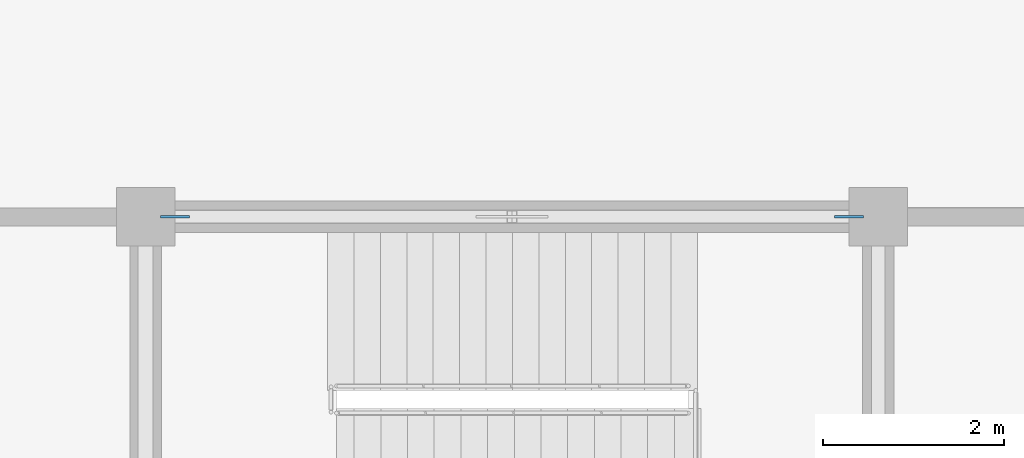
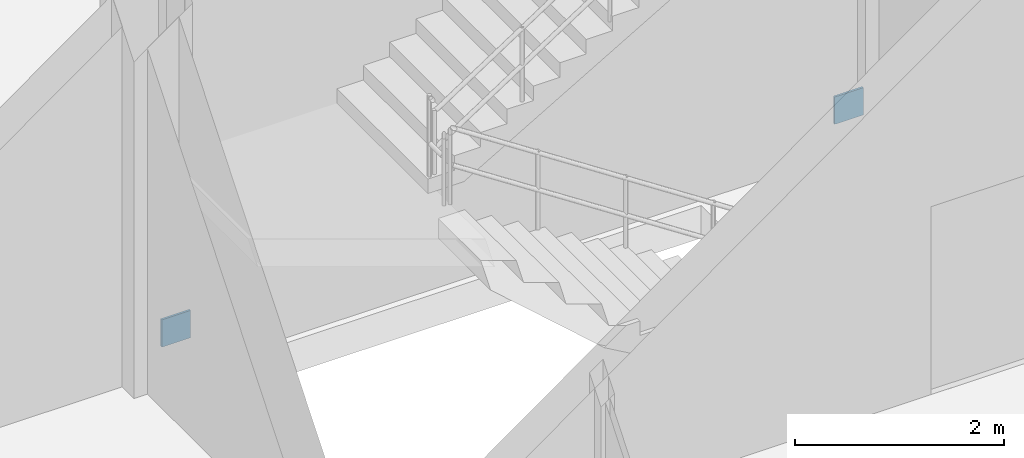
# One storey, part 76 of 99: 2 discrete accessories.
"""IFC4 building model written with IfcOpenShell, lengths in metres."""

from ifc_helpers import new_model, si_unit, direction, frame, origin, origin_2d, place, context, subcontext, project, spatial, rectangle, extrude, material, type_object, element, save


model = new_model("IFC4")

# Units and contexts
model_context = context("Model", 3, precision=1e-05, world=origin(), true_north=direction((0.0, 1.0)))
body_context = subcontext(model_context, "Body", "Model", "MODEL_VIEW")
ifc_project = project(units=[si_unit("LENGTHUNIT", "METRE"), si_unit("AREAUNIT", "SQUARE_METRE"), si_unit("VOLUMEUNIT", "CUBIC_METRE"), si_unit("PLANEANGLEUNIT", "RADIAN"), si_unit("MASSUNIT", "GRAM", prefix="KILO")], contexts=[model_context])

# Site, building, storey
site_placement = place(None, origin())
site = spatial("IfcSite", under=ifc_project, at=site_placement, CompositionType="ELEMENT")
building_placement = place(site_placement, origin())
building = spatial("IfcBuilding", under=site, at=building_placement, Name="Vaudrelin Polytechnic", CompositionType="ELEMENT")
storey_placement = place(building_placement, origin())
storey = spatial("IfcBuildingStorey", under=building, at=storey_placement, Name="L00", CompositionType="ELEMENT", Elevation=0.0)

# Discrete accessories
ifc_material = material(Name="Steel CSA G40.21 350WT", Category="steel")
discrete_accessory_type = type_object("IfcDiscreteAccessoryType", Name="ACC-CPL-01", PredefinedType="BRACKET", material=ifc_material)
for number, where, z_axis, x_axis, name in (
    (1, (8.425048828125, 48.60009765625, 0.23974609375), (0.0, 0.0, 1.0), (1.0, 0.0, 0.0), "Brace end connection plate CPL-001"),
    (2, (15.875, 48.60009765625, 0.23974609375), (0.0, 0.0, 1.0), (1.0, 0.0, 0.0), "Brace end connection plate CPL-002"),
):
    element("IfcDiscreteAccessory", number, at=place(storey_placement, frame(where, z_axis=z_axis, x_axis=x_axis)), inside=storey, type_object=discrete_accessory_type, Name=name, PredefinedType="BRACKET", context=body_context, shape_type="SweptSolid", body=[
        extrude(rectangle(XDim=0.320068359375, YDim=0.02392578125, at=origin_2d()), origin(), (0.0, 0.0, 1.0), 0.320068359375),
    ])

save(model, "model.ifc")
